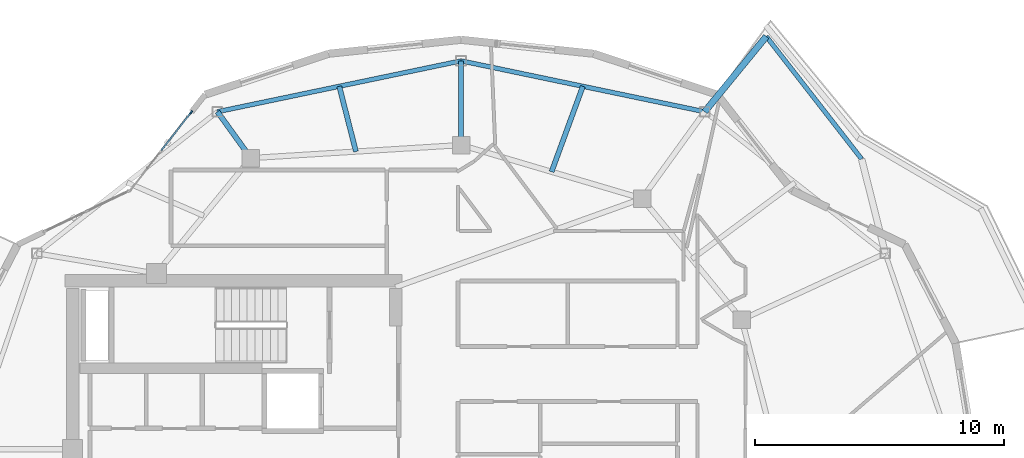
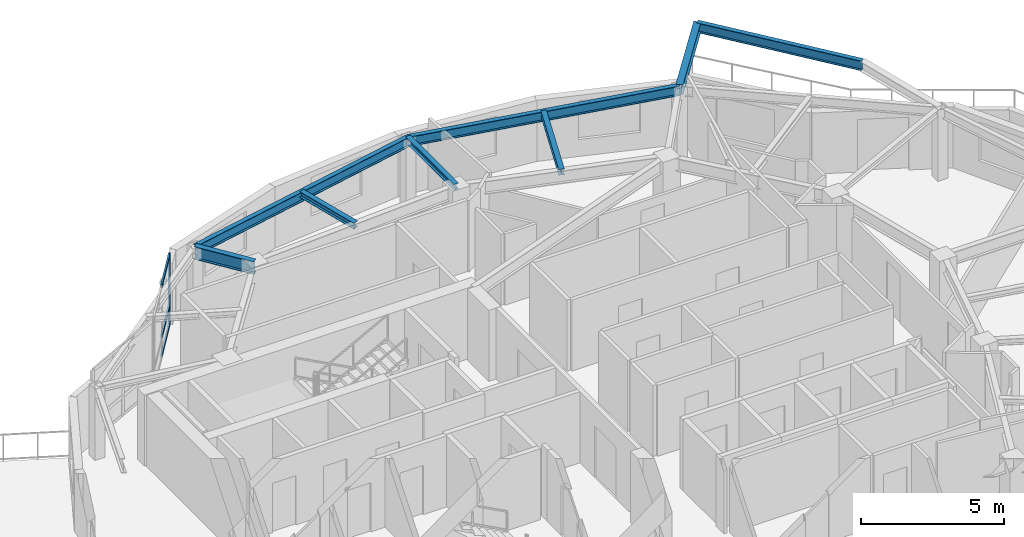
# One storey, part 6 of 14: 8 beams, 4 members, 1 element without a shape of its own.
"""IFC4 building model written with IfcOpenShell, lengths in metres."""

import ifcopenshell
import ifcopenshell.guid

model = None  # the IFC model being written
_history = None  # IfcOwnerHistory: only IFC2X3 demands one
_inside = {}  # id of a spatial element -> (the spatial element, [elements in it])
_under = {}  # id of a project, library or spatial element -> (it, [spatial elements below it])
_declared = {}  # id of a project -> (the project, [libraries it declares])
_typed = {}  # id of a type object -> (the type object, [elements of that type])
_made_of = {}  # id of a material, layer set ... -> (it, [elements and type objects made of it])


def new_model(schema):
    """Start an empty IFC model of exactly this schema.

    Asked for "IFC4X3", IfcOpenShell would pick the latest addendum, in which some entities
    have other attributes; the version numbers below select the first issue.
    IFC2X3 requires an IfcOwnerHistory on every rooted entity: one is made here for all.
    """
    global model, _history
    if schema == "IFC4X3":
        model = ifcopenshell.file(schema_version=(4, 3, 0, 0))
    else:
        model = ifcopenshell.file(schema=schema)
    _inside.clear()
    _under.clear()
    _declared.clear()
    _typed.clear()
    _made_of.clear()
    _history = None
    if model.schema == "IFC2X3":
        org = make("IfcOrganization", Name="unknown")
        user = make(
            "IfcPersonAndOrganization",
            ThePerson=make("IfcPerson", FamilyName="unknown"),
            TheOrganization=org,
        )
        app = make(
            "IfcApplication",
            ApplicationDeveloper=org,
            Version="unknown",
            ApplicationFullName="unknown",
            ApplicationIdentifier="unknown",
        )
        _history = make(
            "IfcOwnerHistory",
            OwningUser=user,
            OwningApplication=app,
            ChangeAction="ADDED",
            CreationDate=0,
        )
    return model


def make(cls, **values):
    """One entity of the class cls with the attributes given. An attribute that is None is left unset."""
    return model.create_entity(
        cls, **{name: value for name, value in values.items() if value is not None}
    )


def rooted(cls, **values):
    """An entity with a GlobalId (a new one), such as an element, a storey or a relation."""
    return make(cls, GlobalId=ifcopenshell.guid.new(), OwnerHistory=_history, **values)


def si_unit(unit_type, name, prefix=None):
    """IfcSIUnit, for example si_unit("LENGTHUNIT", "METRE", prefix="MILLI")."""
    return make("IfcSIUnit", UnitType=unit_type, Prefix=prefix, Name=name)


def assignment(units):
    """IfcUnitAssignment: the units of a project."""
    return None if units is None else make("IfcUnitAssignment", Units=units)


def point(xyz):
    """IfcCartesianPoint."""
    return None if xyz is None else make("IfcCartesianPoint", Coordinates=xyz)


def direction(xyz):
    """IfcDirection."""
    return None if xyz is None else make("IfcDirection", DirectionRatios=xyz)


def frame(location, z_axis=None, x_axis=None):
    """IfcAxis2Placement3D, a coordinate frame: its origin and axes. An axis left out is left unset."""
    return make(
        "IfcAxis2Placement3D",
        Location=point(location),
        Axis=direction(z_axis),
        RefDirection=direction(x_axis),
    )


def frame_2d(location, x_axis=None):
    """IfcAxis2Placement2D, a coordinate frame in the plane: its origin and x axis."""
    return make(
        "IfcAxis2Placement2D", Location=point(location), RefDirection=direction(x_axis)
    )


def origin():
    """The frame at (0, 0, 0) with its axes left unset."""
    return frame((0.0, 0.0, 0.0))


def origin_2d():
    """The frame at (0, 0) in the plane with its x axis left unset."""
    return frame_2d((0.0, 0.0))


def place(relative_to, where):
    """IfcLocalPlacement: puts the frame where relative to a parent placement (None: the world)."""
    return make(
        "IfcLocalPlacement", PlacementRelTo=relative_to, RelativePlacement=where
    )


def context(
    kind, dimensions, precision=None, world=None, true_north=None, identifier=None
):
    """IfcGeometricRepresentationContext, for example the 3D "Model" context."""
    return make(
        "IfcGeometricRepresentationContext",
        ContextIdentifier=identifier,
        ContextType=kind,
        CoordinateSpaceDimension=dimensions,
        Precision=precision,
        WorldCoordinateSystem=world,
        TrueNorth=true_north,
    )


def subcontext(parent, identifier, kind, view, scale=None):
    """IfcGeometricRepresentationSubContext, for example "Body" below "Model"."""
    return make(
        "IfcGeometricRepresentationSubContext",
        ContextIdentifier=identifier,
        ContextType=kind,
        ParentContext=parent,
        TargetScale=scale,
        TargetView=view,
    )


def project(units=None, contexts=None):
    """IfcProject with its units and contexts."""
    return rooted(
        "IfcProject",
        Name="project",
        RepresentationContexts=contexts,
        UnitsInContext=assignment(units),
    )


def spatial(cls, under=None, at=None, **own):
    """A site, building, storey or space (cls), placed at a placement, below another one or the project."""
    s = rooted(cls, ObjectPlacement=at, **own)
    if under is not None:
        _under.setdefault(under.id(), (under, []))[1].append(s)
    return s


def profile(cls, at=None, kind="AREA", **sizes):
    """A parametric profile (cls). Its sizes go by their IFC names, for example OverallWidth=200.0."""
    return make(cls, ProfileType=kind, Position=at, **sizes)


def rectangle(**sizes):
    """IfcRectangleProfileDef."""
    return profile("IfcRectangleProfileDef", **sizes)


def i_section(**sizes):
    """IfcIShapeProfileDef."""
    return profile("IfcIShapeProfileDef", **sizes)


def extrude(swept, where, along, depth):
    """IfcExtrudedAreaSolid: the profile swept, set in the frame where, extruded along a direction by depth."""
    return make(
        "IfcExtrudedAreaSolid",
        SweptArea=swept,
        Position=where,
        ExtrudedDirection=direction(along),
        Depth=depth,
    )


def shape(context_of_items, identifier, shape_type, items):
    """IfcShapeRepresentation: the items that make up one representation, for example the "Body"."""
    return make(
        "IfcShapeRepresentation",
        ContextOfItems=context_of_items,
        RepresentationIdentifier=identifier,
        RepresentationType=shape_type,
        Items=items,
    )


def material(Name=None, Category=None):
    """IfcMaterial."""
    return make("IfcMaterial", Name=Name, Category=Category)


def layer(
    of_material, thickness, ventilated=None, Name=None, Category=None, Priority=None
):
    """IfcMaterialLayer: one layer of a wall or slab, of a material (None: an air gap)."""
    return make(
        "IfcMaterialLayer",
        Material=of_material,
        LayerThickness=thickness,
        IsVentilated=ventilated,
        Name=Name,
        Category=Category,
        Priority=Priority,
    )


def layer_set(layers, Name=None):
    """IfcMaterialLayerSet."""
    return make("IfcMaterialLayerSet", MaterialLayers=layers, LayerSetName=Name)


def material_profile(
    of_material, cross_section, Name=None, Category=None, Priority=None
):
    """IfcMaterialProfile: a cross section and its material."""
    return make(
        "IfcMaterialProfile",
        Name=Name,
        Material=of_material,
        Profile=cross_section,
        Priority=Priority,
        Category=Category,
    )


def profile_set(profiles, Name=None, composite=None):
    """IfcMaterialProfileSet."""
    return make(
        "IfcMaterialProfileSet",
        Name=Name,
        MaterialProfiles=profiles,
        CompositeProfile=composite,
    )


def made_of(thing, what):
    """Note that an element or type object is made of a material, layer set ...; save() writes the relation."""
    if what is not None:
        _made_of.setdefault(what.id(), (what, []))[1].append(thing)
    return thing


def type_object(cls, material=None, **own):
    """A type object (cls), such as IfcWallType, which elements share."""
    return made_of(rooted(cls, **own), material)


def element(
    cls,
    number,
    at=None,
    inside=None,
    cuts=None,
    type_object=None,
    material=None,
    context=None,
    identifier="Body",
    shape_type=None,
    held_by="IfcProductDefinitionShape",
    body=None,
    shapes=None,
    **own,
):
    """One element of the class cls, such as IfcWall. Its Tag is "e" and its number.

    at: its placement. inside: the storey or other place that contains it. cuts: it is an
    opening in that element (IfcRelVoidsElement). A single representation is given by context,
    identifier, shape_type and body (its items); several are given by shapes. held_by: the class
    of the entity that holds the representations. save() writes the other relations.
    """
    e = rooted(cls, Tag="e%d" % number, ObjectPlacement=at, **own)
    if body is not None:
        shapes = [shape(context, identifier, shape_type, body)]
    if shapes is not None:
        e.Representation = make(held_by, Representations=shapes)
    if inside is not None:
        _inside.setdefault(inside.id(), (inside, []))[1].append(e)
    if cuts is not None:
        rooted(
            "IfcRelVoidsElement", RelatingBuildingElement=cuts, RelatedOpeningElement=e
        )
    if type_object is not None:
        _typed.setdefault(type_object.id(), (type_object, []))[1].append(e)
    return made_of(e, material)


def aggregate(whole, parts):
    """IfcRelAggregates: a whole, such as a stair, and the parts it consists of."""
    return rooted("IfcRelAggregates", RelatingObject=whole, RelatedObjects=parts)


def save(model, path):
    """Write the relations noted so far, then the file.

    IfcRelAggregates (storeys below a building ...), IfcRelContainedInSpatialStructure (elements
    in a storey), IfcRelDefinesByType, IfcRelAssociatesMaterial and IfcRelDeclares: one each for
    every whole, place, type object, material and project.
    """
    for whole, parts in _under.values():
        aggregate(whole, parts)
    for where, things in _inside.values():
        rooted(
            "IfcRelContainedInSpatialStructure",
            RelatedElements=things,
            RelatingStructure=where,
        )
    for kind, things in _typed.values():
        rooted("IfcRelDefinesByType", RelatedObjects=things, RelatingType=kind)
    for what, things in _made_of.values():
        rooted("IfcRelAssociatesMaterial", RelatedObjects=things, RelatingMaterial=what)
    for by, libraries in _declared.values():
        rooted("IfcRelDeclares", RelatingContext=by, RelatedDefinitions=libraries)
    model.write(path)


model = new_model("IFC4")

# Units and contexts
model_context = context("Model", 3, precision=1e-05, world=origin(), true_north=direction((0.0, 1.0)))
body_context = subcontext(model_context, "Body", "Model", "MODEL_VIEW")
ifc_project = project(units=[si_unit("LENGTHUNIT", "METRE"), si_unit("AREAUNIT", "SQUARE_METRE"), si_unit("VOLUMEUNIT", "CUBIC_METRE"), si_unit("PLANEANGLEUNIT", "RADIAN"), si_unit("MASSUNIT", "GRAM", prefix="KILO")], contexts=[model_context])

# Site, building, storey
site_placement = place(None, origin())
site = spatial("IfcSite", under=ifc_project, at=site_placement, CompositionType="ELEMENT")
building_placement = place(site_placement, origin())
building = spatial("IfcBuilding", under=site, at=building_placement, Name="Kolvaren Gate Tower and Convention Centre", CompositionType="ELEMENT")
storey_placement = place(building_placement, frame((0.0, 0.0, 259.10009765625)))
storey = spatial("IfcBuildingStorey", under=building, at=storey_placement, Name="L70", CompositionType="ELEMENT", Elevation=259.10009765625)

# Curtain wall, members
ifc_material_1 = material(Name="Anodized Architectural Aluminium Alloy 6063-T6", Category="aluminium")
ifc_layer = layer(ifc_material_1, 0.159912109375)
ifc_layer_set = layer_set([ifc_layer], Name="Anodized Architectural Aluminium Alloy 6063-T6")
curtain_wall_type = type_object("IfcCurtainWallType", Name="CW-RES-UNIT", PredefinedType="NOTDEFINED", material=ifc_layer_set)
curtain_wall_placement = place(storey_placement, origin())
curtain_wall = element("IfcCurtainWall", 1, at=curtain_wall_placement, inside=storey, type_object=curtain_wall_type, Name="Tower L70 Unitised Curtain Wall CW-RES-UNIT Bay 08", PredefinedType="NOTDEFINED")
ifc_material_profile_1 = material_profile(ifc_material_1, rectangle(XDim=0.06494140625, YDim=0.159912109375, at=origin_2d()), Name="CW-MEM-MUL-160")
ifc_profile_set_1 = profile_set([ifc_material_profile_1], Name="Anodized Architectural Aluminium Alloy 6063-T6")
member_type_1 = type_object("IfcMemberType", Name="CW-MEM-MUL-160", PredefinedType="MULLION", material=ifc_profile_set_1)
member_1_placement = place(storey_placement, frame((19.299072265625, 40.5087890625, 0.0), z_axis=(0.0, 0.0, 1.0), x_axis=(-0.787412947119, 0.616425867976, 0.0)))
member_1 = element("IfcMember", 2, at=member_1_placement, type_object=member_type_1, Name="CW-04 mullion 3", PredefinedType="MULLION", context=body_context, shape_type="SweptSolid", body=[
    extrude(rectangle(XDim=0.06494140625, YDim=0.159912109375, at=origin_2d()), origin(), (0.0, 0.0, 1.0), 3.02978515625),
])
ifc_material_profile_2 = material_profile(ifc_material_1, rectangle(XDim=0.06494140625, YDim=0.159912109375, at=origin_2d()), Name="CW-MEM-TRN-160")
ifc_profile_set_2 = profile_set([ifc_material_profile_2], Name="Anodized Architectural Aluminium Alloy 6063-T6")
member_type_2 = type_object("IfcMemberType", Name="CW-MEM-TRN-160", PredefinedType="USERDEFINED", material=ifc_profile_set_2)
member_2_placement = place(storey_placement, frame((18.102783203125, 38.98046875, 0.032470703125), z_axis=(0.616328956941, 0.787488804261, 0.0), x_axis=(-0.787488804261, 0.616328956941, 0.0)))
member_2 = element("IfcMember", 3, at=member_2_placement, type_object=member_type_2, Name="CW-04 transom 2.1", ObjectType="TRANSOM", PredefinedType="USERDEFINED", context=body_context, shape_type="SweptSolid", body=[
    extrude(rectangle(XDim=0.06494140625, YDim=0.159912109375, at=origin_2d()), origin(), (0.0, 0.0, 1.0), 1.908447265625),
])
member_3_placement = place(storey_placement, frame((18.102783203125, 38.98046875, 0.849853515625), z_axis=(0.616328956941, 0.787488804261, 0.0), x_axis=(-0.787488804261, 0.616328956941, 0.0)))
member_3 = element("IfcMember", 4, at=member_3_placement, type_object=member_type_2, Name="CW-04 transom 2.2", ObjectType="TRANSOM", PredefinedType="USERDEFINED", context=body_context, shape_type="SweptSolid", body=[
    extrude(rectangle(XDim=0.06494140625, YDim=0.159912109375, at=origin_2d()), origin(), (0.0, 0.0, 1.0), 1.908447265625),
])
member_4_placement = place(storey_placement, frame((18.102783203125, 38.98046875, 2.997314453125), z_axis=(0.616328956941, 0.787488804261, 0.0), x_axis=(-0.787488804261, 0.616328956941, 0.0)))
member_4 = element("IfcMember", 5, at=member_4_placement, type_object=member_type_2, Name="CW-04 transom 2.3", ObjectType="TRANSOM", PredefinedType="USERDEFINED", context=body_context, shape_type="SweptSolid", body=[
    extrude(rectangle(XDim=0.06494140625, YDim=0.159912109375, at=origin_2d()), origin(), (0.0, 0.0, 1.0), 1.908447265625),
])
aggregate(curtain_wall, [member_1, member_2, member_3, member_4])

# Beams
ifc_material_2 = material(Name="Structural steel ASTM A992 Grade 345 MPa", Category="steel")
ifc_material_profile_3 = material_profile(ifc_material_2, i_section(OverallWidth=0.260009765625, OverallDepth=0.419921875, WebThickness=0.013427734375, FlangeThickness=0.0224609375, at=origin_2d()), Name="W410X132")
ifc_profile_set_3 = profile_set([ifc_material_profile_3], Name="Structural steel ASTM A992 Grade 345 MPa")
beam_type_1 = type_object("IfcBeamType", Name="STR-BM-W410X132", PredefinedType="BEAM", material=ifc_profile_set_3)
beam_1_placement = place(storey_placement, frame((39.893310546875, 40.53515625, 2.8203125), z_axis=(0.633305964055, 0.773901515629, 0.0), x_axis=(-0.773901515629, 0.633305964055, 0.0)))
element("IfcBeam", 6, at=beam_1_placement, inside=storey, type_object=beam_type_1, Name="Tower L71 Planted Balcony Outrigger Cantilever BC-1B", PredefinedType="BEAM", context=body_context, shape_type="SweptSolid", body=[
    extrude(i_section(OverallWidth=0.260009765625, OverallDepth=0.419921875, WebThickness=0.013427734375, FlangeThickness=0.0224609375, at=origin_2d()), origin(), (0.0, 0.0, 1.0), 3.900146484375),
])
ifc_material_profile_4 = material_profile(ifc_material_2, i_section(OverallWidth=0.2119140625, OverallDepth=0.5439453125, WebThickness=0.01318359375, FlangeThickness=0.021240234375, at=origin_2d()), Name="W530X123")
ifc_profile_set_4 = profile_set([ifc_material_profile_4], Name="Structural steel ASTM A992 Grade 345 MPa")
beam_type_2 = type_object("IfcBeamType", Name="STR-BM-W530X123", PredefinedType="BEAM", material=ifc_profile_set_4)
beam_2_placement = place(storey_placement, frame((21.697998046875, 38.6767578125, 2.7578125), z_axis=(-0.585241610653, 0.810858962558, 0.0), x_axis=(-0.810858962558, -0.585241610653, 0.0)))
element("IfcBeam", 7, at=beam_2_placement, inside=storey, type_object=beam_type_2, Name="Tower L70 Radial Floor Girder RB-05", PredefinedType="BEAM", context=body_context, shape_type="SweptSolid", body=[
    extrude(i_section(OverallWidth=0.2119140625, OverallDepth=0.5439453125, WebThickness=0.01318359375, FlangeThickness=0.021240234375, at=origin_2d()), origin(), (0.0, 0.0, 1.0), 2.2919921875),
])
ifc_material_profile_5 = material_profile(ifc_material_2, i_section(OverallWidth=0.202880859375, OverallDepth=0.251953125, WebThickness=0.008056640625, FlangeThickness=0.013427734375, at=origin_2d()), Name="W250X58")
ifc_profile_set_5 = profile_set([ifc_material_profile_5], Name="Structural steel ASTM A992 Grade 345 MPa")
beam_type_3 = type_object("IfcBeamType", Name="STR-JS-W250X58", PredefinedType="JOIST", material=ifc_profile_set_5)
beam_3_placement = place(storey_placement, frame((30.125, 39.199951171875, 2.90380859375), z_axis=(0.0, 1.0, 0.0), x_axis=(-1.0, 0.0, 0.0)))
element("IfcBeam", 8, at=beam_3_placement, inside=storey, type_object=beam_type_3, Name="Tower L70 Radial Floor Girder RB-04", PredefinedType="JOIST", context=body_context, shape_type="SweptSolid", body=[
    extrude(i_section(OverallWidth=0.202880859375, OverallDepth=0.251953125, WebThickness=0.008056640625, FlangeThickness=0.013427734375, at=origin_2d()), origin(), (0.0, 0.0, 1.0), 3.375),
])
beam_4_placement = place(storey_placement, frame((33.75341796875, 38.12744140625, 2.90380859375), z_axis=(0.343959865764, 0.938984350638, 0.0), x_axis=(-0.938984350638, 0.343959865764, 0.0)))
element("IfcBeam", 9, at=beam_4_placement, inside=storey, type_object=beam_type_3, Name="Tower L70 Secondary Composite Floor Joist J-03.1", PredefinedType="JOIST", context=body_context, shape_type="SweptSolid", body=[
    extrude(i_section(OverallWidth=0.202880859375, OverallDepth=0.251953125, WebThickness=0.008056640625, FlangeThickness=0.013427734375, at=origin_2d()), origin(), (0.0, 0.0, 1.0), 3.650390625),
])
beam_5_placement = place(storey_placement, frame((25.91162109375, 38.938232421875, 2.90380859375), z_axis=(-0.248251414505, 0.968695635995, 0.0), x_axis=(-0.968695635995, -0.248251414505, 0.0)))
element("IfcBeam", 10, at=beam_5_placement, inside=storey, type_object=beam_type_3, Name="Tower L70 Secondary Composite Floor Joist J-04.1", PredefinedType="JOIST", context=body_context, shape_type="SweptSolid", body=[
    extrude(i_section(OverallWidth=0.202880859375, OverallDepth=0.251953125, WebThickness=0.008056640625, FlangeThickness=0.013427734375, at=origin_2d()), origin(), (0.0, 0.0, 1.0), 2.701416015625),
])
ifc_material_profile_6 = material_profile(ifc_material_2, i_section(OverallWidth=0.180908203125, OverallDepth=0.4169921875, WebThickness=0.010986328125, FlangeThickness=0.018310546875, at=origin_2d()), Name="W410X85")
ifc_profile_set_6 = profile_set([ifc_material_profile_6], Name="Structural steel ASTM A992 Grade 345 MPa")
beam_type_4 = type_object("IfcBeamType", Name="STR-SP-W410X85", PredefinedType="SPANDREL", material=ifc_profile_set_6)
for number, where, z_axis, x_axis, name in (
    (11, (39.893310546875, 40.53515625, 2.8212890625), (-0.978885668593, 0.204408531681, 0.0), (-0.204408531681, -0.978885668593, 0.0), "Tower L70 Perimeter Spandrel Beam SP-03"),
    (12, (30.125, 42.574951171875, 2.8212890625), (-0.978885668593, -0.204408531681, 0.0), (0.204408531681, -0.978885668593, 0.0), "Tower L70 Perimeter Spandrel Beam SP-04"),
):
    element("IfcBeam", number, at=place(storey_placement, frame(where, z_axis=z_axis, x_axis=x_axis)), inside=storey, type_object=beam_type_4, Name=name, PredefinedType="SPANDREL", context=body_context, shape_type="SweptSolid", body=[
        extrude(i_section(OverallWidth=0.180908203125, OverallDepth=0.4169921875, WebThickness=0.010986328125, FlangeThickness=0.018310546875, at=origin_2d()), origin(), (0.0, 0.0, 1.0), 9.97900390625),
    ])
beam_6_placement = place(storey_placement, frame((46.18603515625, 38.63916015625, 2.822021484375), z_axis=(-0.613992191964, 0.7893120981, 0.0), x_axis=(-0.7893120981, -0.613992191964, 0.0)))
element("IfcBeam", 13, at=beam_6_placement, inside=storey, type_object=beam_type_4, Name="Tower L71 Planted Balcony Header Tie Beam BT-1", PredefinedType="SPANDREL", context=body_context, shape_type="SweptSolid", body=[
    extrude(i_section(OverallWidth=0.180908203125, OverallDepth=0.4169921875, WebThickness=0.010986328125, FlangeThickness=0.018310546875, at=origin_2d()), origin(), (0.0, 0.0, 1.0), 6.22607421875),
])

save(model, "model.ifc")
